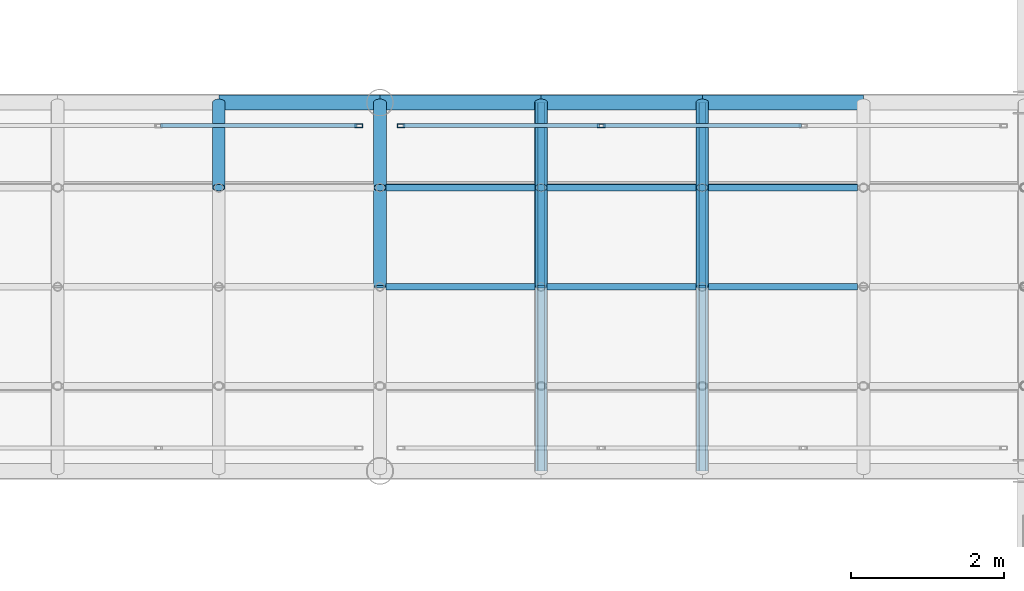
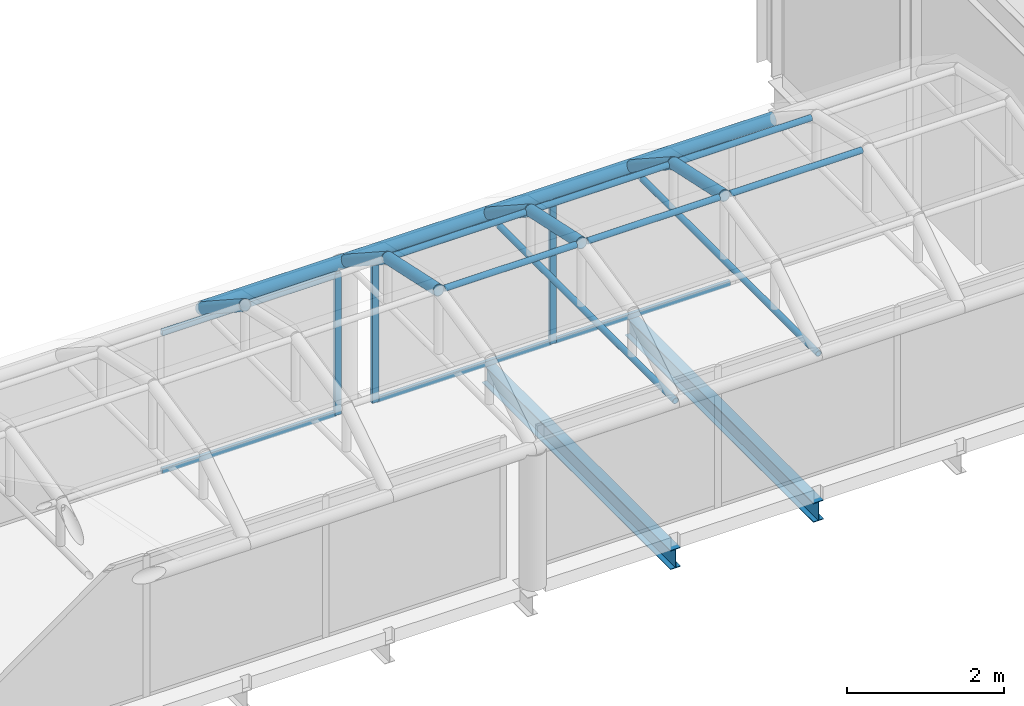
# One storey, part 102 of 167: 26 members, 4 beams, 2 elements without a shape of their own.
"""IFC4 building model written with IfcOpenShell, lengths in metres."""

from ifc_helpers import new_model, si_unit, direction, frame, origin, origin_2d, place, context, subcontext, project, spatial, hollow_rectangle, hollow_circle, i_section, extrude, material, material_profile, profile_set, type_object, element, aggregate, save


model = new_model("IFC4")

# Units and contexts
model_context = context("Model", 3, precision=1e-05, world=origin(), true_north=direction((0.0, 1.0)))
body_context = subcontext(model_context, "Body", "Model", "MODEL_VIEW")
ifc_project = project(units=[si_unit("LENGTHUNIT", "METRE"), si_unit("AREAUNIT", "SQUARE_METRE"), si_unit("VOLUMEUNIT", "CUBIC_METRE"), si_unit("PLANEANGLEUNIT", "RADIAN"), si_unit("MASSUNIT", "GRAM", prefix="KILO")], contexts=[model_context])

# Site, building, storey
site_placement = place(None, origin())
site = spatial("IfcSite", under=ifc_project, at=site_placement, CompositionType="ELEMENT")
building_placement = place(site_placement, origin())
building = spatial("IfcBuilding", under=site, at=building_placement, Name="Catenary Quay Ferry Terminal", CompositionType="ELEMENT")
storey_placement = place(building_placement, frame((0.0, 0.0, 6.0)))
storey = spatial("IfcBuildingStorey", under=building, at=storey_placement, Name="L01", CompositionType="ELEMENT", Elevation=6.0)

# Beams
ifc_material_1 = material(Name="Steel S355", Category="steel")
ifc_material_profile_1 = material_profile(ifc_material_1, i_section(OverallWidth=0.14990234375, OverallDepth=0.300048828125, WebThickness=0.007080078125, FlangeThickness=0.0107421875, at=origin_2d()), Name="IPE 300")
ifc_profile_set_1 = profile_set([ifc_material_profile_1], Name="Steel S355")
beam_type_1 = type_object("IfcBeamType", Name="B2 IPE 300", PredefinedType="BEAM", material=ifc_profile_set_1)
for number, where, z_axis, x_axis, name in (
    (1, (119.699951171875, 90.0, -0.35009765625), (0.0, 1.0, 0.0), (-1.0, 0.0, 0.0), "Beam B2-028"),
    (2, (121.800048828125, 90.0, -0.35009765625), (0.0, 1.0, 0.0), (-1.0, 0.0, 0.0), "Beam B2-029"),
):
    element("IfcBeam", number, at=place(storey_placement, frame(where, z_axis=z_axis, x_axis=x_axis)), inside=storey, type_object=beam_type_1, Name=name, PredefinedType="BEAM", context=body_context, shape_type="SweptSolid", body=[
        extrude(i_section(OverallWidth=0.14990234375, OverallDepth=0.300048828125, WebThickness=0.007080078125, FlangeThickness=0.0107421875, at=origin_2d()), origin(), (0.0, 0.0, 1.0), 4.800048828125),
    ])

# Curtain wall, member
ifc_material_2 = material(Name="Aluminium and glass", Category="aluminium")
curtain_wall_type = type_object("IfcCurtainWallType", Name="CWB", PredefinedType="NOTDEFINED", material=ifc_material_2)
curtain_wall_1_placement = place(storey_placement, origin())
curtain_wall_1 = element("IfcCurtainWall", 3, at=curtain_wall_1_placement, inside=storey, type_object=curtain_wall_type, Name="BB2 curtain wall CW70", PredefinedType="NOTDEFINED")
ifc_material_3 = material(Name="Aluminium", Category="aluminium")
ifc_material_profile_2 = material_profile(ifc_material_3, hollow_rectangle(XDim=0.050048828125, YDim=0.10009765625, WallThickness=0.0048828125, at=origin_2d()), Name="MU1")
ifc_profile_set_2 = profile_set([ifc_material_profile_2], Name="Aluminium")
member_type_1 = type_object("IfcMemberType", Name="MU1", PredefinedType="MULLION", material=ifc_profile_set_2)
member_1_placement = place(storey_placement, frame((117.324951171875, 94.5, 0.0), z_axis=(0.0, 0.0, 1.0), x_axis=(0.0, 1.0, 0.0)))
member_1 = element("IfcMember", 4, at=member_1_placement, type_object=member_type_1, Name="CW70 mullion 4", PredefinedType="MULLION", context=body_context, shape_type="SweptSolid", body=[
    extrude(hollow_rectangle(XDim=0.050048828125, YDim=0.10009765625, WallThickness=0.0048828125, at=origin_2d()), origin(), (0.0, 0.0, 1.0), 2.195068359375),
])

# Curtain wall, members
curtain_wall_2_placement = place(storey_placement, origin())
curtain_wall_2 = element("IfcCurtainWall", 5, at=curtain_wall_2_placement, inside=storey, type_object=curtain_wall_type, Name="BB2 curtain wall CW71", PredefinedType="NOTDEFINED")
member_2_placement = place(storey_placement, frame((117.875, 94.5, 0.0), z_axis=(0.0, 0.0, 1.0), x_axis=(0.0, 1.0, 0.0)))
member_2 = element("IfcMember", 6, at=member_2_placement, type_object=member_type_1, Name="CW71 mullion 1", PredefinedType="MULLION", context=body_context, shape_type="SweptSolid", body=[
    extrude(hollow_rectangle(XDim=0.050048828125, YDim=0.10009765625, WallThickness=0.0048828125, at=origin_2d()), origin(), (0.0, 0.0, 1.0), 2.195068359375),
])
member_3_placement = place(storey_placement, frame((120.4833984375, 94.5, 0.0), z_axis=(0.0, 0.0, 1.0), x_axis=(0.0, 1.0, 0.0)))
member_3 = element("IfcMember", 7, at=member_3_placement, type_object=member_type_1, Name="CW71 mullion 2", PredefinedType="MULLION", context=body_context, shape_type="SweptSolid", body=[
    extrude(hollow_rectangle(XDim=0.050048828125, YDim=0.10009765625, WallThickness=0.0048828125, at=origin_2d()), origin(), (0.0, 0.0, 1.0), 2.195068359375),
])

# Members
ifc_material_4 = material(Name="Steel S355", Category="steel")
ifc_material_profile_3 = material_profile(ifc_material_4, hollow_circle(Radius=0.04443359375, WallThickness=0.0048828125, at=origin_2d()), Name="CHS 88.9x5")
ifc_profile_set_3 = profile_set([ifc_material_profile_3], Name="Steel S355")
member_type_2 = type_object("IfcMemberType", Name="PU3 CHS 88.9x5", PredefinedType="PURLIN", material=ifc_profile_set_3)
for number, where, z_axis, x_axis, name in (
    (8, (117.679931640625, 92.39990234375, 3.10009765625), (1.0, 0.0, 0.0), (0.0, 1.0, 0.0), "Purlin PU-RB2-13-02"),
    (9, (117.679931640625, 93.69189453125, 2.821044921875), (1.0, 0.0, 0.0), (0.0, 1.0, 0.0), "Purlin PU-RB2-13-03"),
):
    element("IfcMember", number, at=place(storey_placement, frame(where, z_axis=z_axis, x_axis=x_axis)), inside=storey, type_object=member_type_2, Name=name, PredefinedType="PURLIN", context=body_context, shape_type="SweptSolid", body=[
        extrude(hollow_circle(Radius=0.04443359375, WallThickness=0.0048828125, at=origin_2d()), origin(), (0.0, 0.0, 1.0), 1.940185546875),
    ])
for number, where, z_axis, x_axis, name in (
    (10, (119.780029296875, 92.39990234375, 3.10009765625), (1.0, 0.0, 0.0), (0.0, 1.0, 0.0), "Purlin PU-RB2-14-02"),
    (11, (119.780029296875, 93.69189453125, 2.821044921875), (1.0, 0.0, 0.0), (0.0, 1.0, 0.0), "Purlin PU-RB2-14-03"),
):
    element("IfcMember", number, at=place(storey_placement, frame(where, z_axis=z_axis, x_axis=x_axis)), inside=storey, type_object=member_type_2, Name=name, PredefinedType="PURLIN", context=body_context, shape_type="SweptSolid", body=[
        extrude(hollow_circle(Radius=0.04443359375, WallThickness=0.0048828125, at=origin_2d()), origin(), (0.0, 0.0, 1.0), 1.93994140625),
    ])
for number, where, z_axis, x_axis, name in (
    (12, (121.8798828125, 92.39990234375, 3.10009765625), (1.0, 0.0, 0.0), (0.0, 1.0, 0.0), "Purlin PU-RB2-15-02"),
    (13, (121.8798828125, 93.69189453125, 2.821044921875), (1.0, 0.0, 0.0), (0.0, 1.0, 0.0), "Purlin PU-RB2-15-03"),
):
    element("IfcMember", number, at=place(storey_placement, frame(where, z_axis=z_axis, x_axis=x_axis)), inside=storey, type_object=member_type_2, Name=name, PredefinedType="PURLIN", context=body_context, shape_type="SweptSolid", body=[
        extrude(hollow_circle(Radius=0.04443359375, WallThickness=0.0048828125, at=origin_2d()), origin(), (0.0, 0.0, 1.0), 1.940185546875),
    ])

# Beams
ifc_material_5 = material(Name="Steel S355", Category="steel")
ifc_material_profile_4 = material_profile(ifc_material_5, hollow_circle(Radius=0.04443359375, WallThickness=0.0048828125, at=origin_2d()), Name="CHS 88.9x5")
ifc_profile_set_4 = profile_set([ifc_material_profile_4], Name="Steel S355")
beam_type_2 = type_object("IfcBeamType", Name="TB4 CHS 88.9x5", PredefinedType="BEAM", material=ifc_profile_set_4)
for number, where, z_axis, x_axis, name in (
    (14, (119.699951171875, 90.0, 2.10009765625), (0.0, 1.0, 0.0), (-1.0, 0.0, 0.0), "tie beam RB2-14"),
    (15, (121.800048828125, 90.0, 2.10009765625), (0.0, 1.0, 0.0), (-1.0, 0.0, 0.0), "tie beam RB2-15"),
):
    element("IfcBeam", number, at=place(storey_placement, frame(where, z_axis=z_axis, x_axis=x_axis)), inside=storey, type_object=beam_type_2, Name=name, PredefinedType="BEAM", context=body_context, shape_type="SweptSolid", body=[
        extrude(hollow_circle(Radius=0.04443359375, WallThickness=0.0048828125, at=origin_2d()), origin(), (0.0, 0.0, 1.0), 4.800048828125),
    ])

# Members
ifc_material_6 = material(Name="Steel S355", Category="steel")
ifc_material_profile_5 = material_profile(ifc_material_6, hollow_circle(Radius=0.096923828125, WallThickness=0.010009765625, at=origin_2d()), Name="CHS 193.7x10")
ifc_profile_set_5 = profile_set([ifc_material_profile_5], Name="Steel S355")
member_type_3 = type_object("IfcMemberType", Name="TC2 CHS 193.7x10", PredefinedType="CHORD", material=ifc_profile_set_5)
member_4_placement = place(storey_placement, frame((115.5, 94.800048828125, 2.10009765625), z_axis=(1.0, 0.0, 0.0), x_axis=(0.0, 1.0, 0.0)))
element("IfcMember", 16, at=member_4_placement, inside=storey, type_object=member_type_3, Name="Bridge top chord BB2N-TC12", PredefinedType="CHORD", context=body_context, shape_type="SweptSolid", body=[
    extrude(hollow_circle(Radius=0.096923828125, WallThickness=0.010009765625, at=origin_2d()), origin(), (0.0, 0.0, 1.0), 2.10009765625),
])
member_5_placement = place(storey_placement, frame((117.60009765625, 94.800048828125, 2.10009765625), z_axis=(1.0, 0.0, 0.0), x_axis=(0.0, 1.0, 0.0)))
element("IfcMember", 17, at=member_5_placement, inside=storey, type_object=member_type_3, Name="Bridge top chord BB2N-TC13", PredefinedType="CHORD", context=body_context, shape_type="SweptSolid", body=[
    extrude(hollow_circle(Radius=0.096923828125, WallThickness=0.010009765625, at=origin_2d()), origin(), (0.0, 0.0, 1.0), 2.099853515625),
])
member_6_placement = place(storey_placement, frame((119.699951171875, 94.800048828125, 2.10009765625), z_axis=(1.0, 0.0, 0.0), x_axis=(0.0, 1.0, 0.0)))
element("IfcMember", 18, at=member_6_placement, inside=storey, type_object=member_type_3, Name="Bridge top chord BB2N-TC14", PredefinedType="CHORD", context=body_context, shape_type="SweptSolid", body=[
    extrude(hollow_circle(Radius=0.096923828125, WallThickness=0.010009765625, at=origin_2d()), origin(), (0.0, 0.0, 1.0), 2.10009765625),
])
member_7_placement = place(storey_placement, frame((121.800048828125, 94.800048828125, 2.10009765625), z_axis=(1.0, 0.0, 0.0), x_axis=(0.0, 1.0, 0.0)))
element("IfcMember", 19, at=member_7_placement, inside=storey, type_object=member_type_3, Name="Bridge top chord BB2N-TC15", PredefinedType="CHORD", context=body_context, shape_type="SweptSolid", body=[
    extrude(hollow_circle(Radius=0.096923828125, WallThickness=0.010009765625, at=origin_2d()), origin(), (0.0, 0.0, 1.0), 2.099853515625),
])

# Member
ifc_material_7 = material(Name="Aluminium", Category="aluminium")
ifc_material_profile_6 = material_profile(ifc_material_7, hollow_rectangle(XDim=0.050048828125, YDim=0.080078125, WallThickness=0.00390625, at=origin_2d()), Name="TR1")
ifc_profile_set_6 = profile_set([ifc_material_profile_6], Name="Aluminium")
member_type_4 = type_object("IfcMemberType", Name="TR1", PredefinedType="USERDEFINED", material=ifc_profile_set_6)
member_8_placement = place(storey_placement, frame((114.74169921875, 94.5, 0.02490234375), z_axis=(1.0, 0.0, 0.0), x_axis=(0.0, 1.0, 0.0)))
member_8 = element("IfcMember", 20, at=member_8_placement, type_object=member_type_4, Name="CW70 transom 3.1", ObjectType="TRANSOM", PredefinedType="USERDEFINED", context=body_context, shape_type="SweptSolid", body=[
    extrude(hollow_rectangle(XDim=0.050048828125, YDim=0.080078125, WallThickness=0.00390625, at=origin_2d()), origin(), (0.0, 0.0, 1.0), 2.558349609375),
])

member_9_placement = place(storey_placement, frame((114.74169921875, 94.5, 2.169921875), z_axis=(1.0, 0.0, 0.0), x_axis=(0.0, 1.0, 0.0)))
member_9 = element("IfcMember", 21, at=member_9_placement, type_object=member_type_4, Name="CW70 transom 3.2", ObjectType="TRANSOM", PredefinedType="USERDEFINED", context=body_context, shape_type="SweptSolid", body=[
    extrude(hollow_rectangle(XDim=0.050048828125, YDim=0.080078125, WallThickness=0.00390625, at=origin_2d()), origin(), (0.0, 0.0, 1.0), 2.558349609375),
])

aggregate(curtain_wall_1, [member_1, member_8, member_9])

member_10_placement = place(storey_placement, frame((117.89990234375, 94.5, 0.02490234375), z_axis=(1.0, 0.0, 0.0), x_axis=(0.0, 1.0, 0.0)))
member_10 = element("IfcMember", 22, at=member_10_placement, type_object=member_type_4, Name="CW71 transom 1.1", ObjectType="TRANSOM", PredefinedType="USERDEFINED", context=body_context, shape_type="SweptSolid", body=[
    extrude(hollow_rectangle(XDim=0.050048828125, YDim=0.080078125, WallThickness=0.00390625, at=origin_2d()), origin(), (0.0, 0.0, 1.0), 2.558349609375),
])

member_11_placement = place(storey_placement, frame((117.89990234375, 94.5, 2.169921875), z_axis=(1.0, 0.0, 0.0), x_axis=(0.0, 1.0, 0.0)))
member_11 = element("IfcMember", 23, at=member_11_placement, type_object=member_type_4, Name="CW71 transom 1.2", ObjectType="TRANSOM", PredefinedType="USERDEFINED", context=body_context, shape_type="SweptSolid", body=[
    extrude(hollow_rectangle(XDim=0.050048828125, YDim=0.080078125, WallThickness=0.00390625, at=origin_2d()), origin(), (0.0, 0.0, 1.0), 2.558349609375),
])

member_12_placement = place(storey_placement, frame((120.50830078125, 94.5, 0.02490234375), z_axis=(1.0, 0.0, 0.0), x_axis=(0.0, 1.0, 0.0)))
member_12 = element("IfcMember", 24, at=member_12_placement, type_object=member_type_4, Name="CW71 transom 2.1", ObjectType="TRANSOM", PredefinedType="USERDEFINED", context=body_context, shape_type="SweptSolid", body=[
    extrude(hollow_rectangle(XDim=0.050048828125, YDim=0.080078125, WallThickness=0.00390625, at=origin_2d()), origin(), (0.0, 0.0, 1.0), 2.583251953125),
])

member_13_placement = place(storey_placement, frame((120.50830078125, 94.5, 2.169921875), z_axis=(1.0, 0.0, 0.0), x_axis=(0.0, 1.0, 0.0)))
member_13 = element("IfcMember", 25, at=member_13_placement, type_object=member_type_4, Name="CW71 transom 2.2", ObjectType="TRANSOM", PredefinedType="USERDEFINED", context=body_context, shape_type="SweptSolid", body=[
    extrude(hollow_rectangle(XDim=0.050048828125, YDim=0.080078125, WallThickness=0.00390625, at=origin_2d()), origin(), (0.0, 0.0, 1.0), 2.583251953125),
])

aggregate(curtain_wall_2, [member_2, member_3, member_10, member_11, member_12, member_13])

# Members
ifc_material_8 = material(Name="Steel S355", Category="steel")
ifc_material_profile_7 = material_profile(ifc_material_8, hollow_circle(Radius=0.084228515625, WallThickness=0.008056640625, at=origin_2d()), Name="CHS 168.3x8")
ifc_profile_set_7 = profile_set([ifc_material_profile_7], Name="Steel S355")
member_type_5 = type_object("IfcMemberType", Name="VR4 CHS 168.3x8", PredefinedType="RAFTER", material=ifc_profile_set_7)
member_14_placement = place(storey_placement, frame((115.5, 93.69189453125, 2.821044921875), z_axis=(0.0, 0.838219928753, -0.545332330823), x_axis=(-1.0, 0.0, 0.0)))
element("IfcMember", 26, at=member_14_placement, inside=storey, type_object=member_type_5, Name="rib RB2-12-04", PredefinedType="RAFTER", context=body_context, shape_type="SweptSolid", body=[
    extrude(hollow_circle(Radius=0.084228515625, WallThickness=0.008056640625, at=origin_2d()), origin(), (0.0, 0.0, 1.0), 1.322021484375),
])
member_15_placement = place(storey_placement, frame((117.60009765625, 92.39990234375, 3.10009765625), z_axis=(0.0, 0.977460543774, -0.211118178672), x_axis=(-1.0, 0.0, 0.0)))
element("IfcMember", 27, at=member_15_placement, inside=storey, type_object=member_type_5, Name="rib RB2-13-03", PredefinedType="RAFTER", context=body_context, shape_type="SweptSolid", body=[
    extrude(hollow_circle(Radius=0.084228515625, WallThickness=0.008056640625, at=origin_2d()), origin(), (0.0, 0.0, 1.0), 1.32177734375),
])
member_16_placement = place(storey_placement, frame((117.60009765625, 93.69189453125, 2.821044921875), z_axis=(0.0, 0.838219928753, -0.545332330823), x_axis=(-1.0, 0.0, 0.0)))
element("IfcMember", 28, at=member_16_placement, inside=storey, type_object=member_type_5, Name="rib RB2-13-04", PredefinedType="RAFTER", context=body_context, shape_type="SweptSolid", body=[
    extrude(hollow_circle(Radius=0.084228515625, WallThickness=0.008056640625, at=origin_2d()), origin(), (0.0, 0.0, 1.0), 1.322021484375),
])
member_17_placement = place(storey_placement, frame((119.699951171875, 92.39990234375, 3.10009765625), z_axis=(0.0, 0.977460543774, -0.211118178672), x_axis=(-1.0, 0.0, 0.0)))
element("IfcMember", 29, at=member_17_placement, inside=storey, type_object=member_type_5, Name="rib RB2-14-03", PredefinedType="RAFTER", context=body_context, shape_type="SweptSolid", body=[
    extrude(hollow_circle(Radius=0.084228515625, WallThickness=0.008056640625, at=origin_2d()), origin(), (0.0, 0.0, 1.0), 1.32177734375),
])
member_18_placement = place(storey_placement, frame((119.699951171875, 93.69189453125, 2.821044921875), z_axis=(0.0, 0.838219928753, -0.545332330823), x_axis=(-1.0, 0.0, 0.0)))
element("IfcMember", 30, at=member_18_placement, inside=storey, type_object=member_type_5, Name="rib RB2-14-04", PredefinedType="RAFTER", context=body_context, shape_type="SweptSolid", body=[
    extrude(hollow_circle(Radius=0.084228515625, WallThickness=0.008056640625, at=origin_2d()), origin(), (0.0, 0.0, 1.0), 1.322021484375),
])
member_19_placement = place(storey_placement, frame((121.800048828125, 92.39990234375, 3.10009765625), z_axis=(0.0, 0.977460543774, -0.211118178672), x_axis=(-1.0, 0.0, 0.0)))
element("IfcMember", 31, at=member_19_placement, inside=storey, type_object=member_type_5, Name="rib RB2-15-03", PredefinedType="RAFTER", context=body_context, shape_type="SweptSolid", body=[
    extrude(hollow_circle(Radius=0.084228515625, WallThickness=0.008056640625, at=origin_2d()), origin(), (0.0, 0.0, 1.0), 1.32177734375),
])
member_20_placement = place(storey_placement, frame((121.800048828125, 93.69189453125, 2.821044921875), z_axis=(0.0, 0.838219928753, -0.545332330823), x_axis=(-1.0, 0.0, 0.0)))
element("IfcMember", 32, at=member_20_placement, inside=storey, type_object=member_type_5, Name="rib RB2-15-04", PredefinedType="RAFTER", context=body_context, shape_type="SweptSolid", body=[
    extrude(hollow_circle(Radius=0.084228515625, WallThickness=0.008056640625, at=origin_2d()), origin(), (0.0, 0.0, 1.0), 1.322021484375),
])

save(model, "model.ifc")
